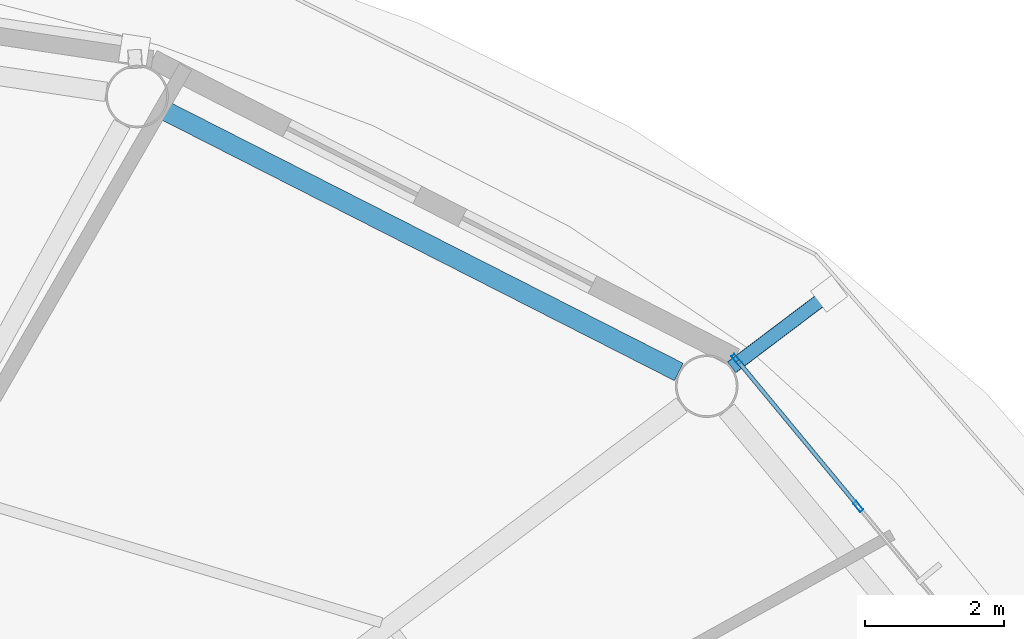
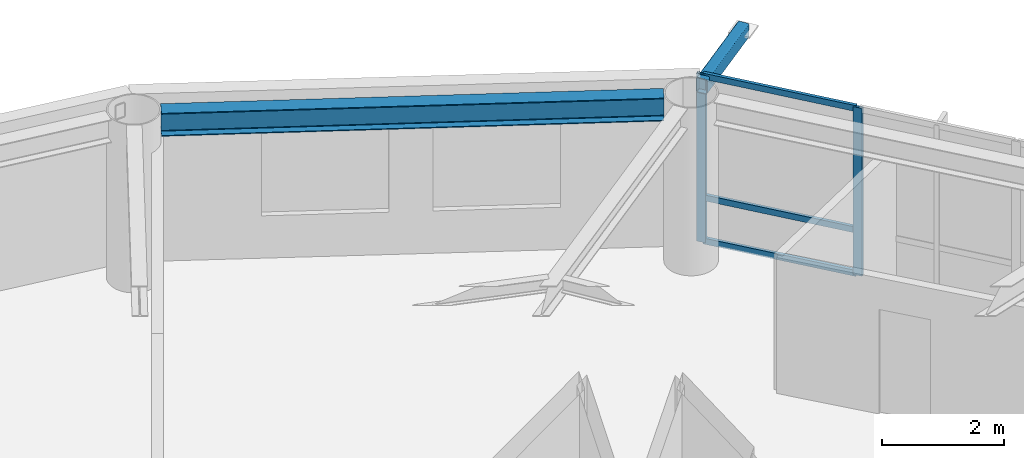
# One storey, part 11 of 22: 6 members, 1 beam, 1 element without a shape of its own.
"""IFC4 building model written with IfcOpenShell, lengths in metres."""

from ifc_helpers import new_model, si_unit, direction, frame, origin, origin_2d, place, context, subcontext, project, spatial, hollow_rectangle, i_section, extrude, material, layer, layer_set, material_profile, profile_set, type_object, element, aggregate, save


model = new_model("IFC4")

# Units and contexts
model_context = context("Model", 3, precision=1e-05, world=origin(), true_north=direction((0.0, 1.0)))
body_context = subcontext(model_context, "Body", "Model", "MODEL_VIEW")
ifc_project = project(units=[si_unit("LENGTHUNIT", "METRE"), si_unit("AREAUNIT", "SQUARE_METRE"), si_unit("VOLUMEUNIT", "CUBIC_METRE"), si_unit("PLANEANGLEUNIT", "RADIAN"), si_unit("MASSUNIT", "GRAM", prefix="KILO")], contexts=[model_context])

# Site, building, storey
site_placement = place(None, origin())
site = spatial("IfcSite", under=ifc_project, at=site_placement, CompositionType="ELEMENT")
building_placement = place(site_placement, origin())
building = spatial("IfcBuilding", under=site, at=building_placement, Name="Sarneth Arch Tower", CompositionType="ELEMENT")
storey_placement = place(building_placement, frame((0.0, 0.0, 298.199951171875)))
storey = spatial("IfcBuildingStorey", under=building, at=storey_placement, Name="L77", CompositionType="ELEMENT", Elevation=298.199951171875)

# Beam
ifc_material_1 = material(Name="Steel S355", Category="steel")
ifc_material_profile_1 = material_profile(ifc_material_1, i_section(OverallWidth=0.280029296875, OverallDepth=0.462890625, WebThickness=0.0107421875, FlangeThickness=0.017333984375, FilletRadius=0.01806640625, at=origin_2d()), Name="W460x113")
ifc_profile_set_1 = profile_set([ifc_material_profile_1], Name="Steel S355")
beam_type = type_object("IfcBeamType", Name="BM-RAD-460A", PredefinedType="BEAM", material=ifc_profile_set_1)
beam_placement = place(storey_placement, frame((65.57421875, 55.780517578125, 3.138427734375), z_axis=(-0.891376248079, 0.453264144138, 0.0), x_axis=(-0.453264144138, -0.891376248079, 0.0)))
element("IfcBeam", 1, at=beam_placement, inside=storey, type_object=beam_type, Name="L77 Perimeter spandrel beam 03", PredefinedType="BEAM", context=body_context, shape_type="SweptSolid", body=[
    extrude(i_section(OverallWidth=0.280029296875, OverallDepth=0.462890625, WebThickness=0.0107421875, FlangeThickness=0.017333984375, FilletRadius=0.01806640625, at=origin_2d()), origin(), (0.0, 0.0, 1.0), 8.281982421875),
])

# Curtain wall, members
ifc_material_2 = material(Name="Anodised aluminium Type AA25 and solar-control low-e laminated IGU", Category="aluminium")
ifc_layer = layer(ifc_material_2, 0.179931640625)
ifc_layer_set = layer_set([ifc_layer], Name="Anodised aluminium Type AA25 and solar-control low-e laminated IGU")
curtain_wall_type = type_object("IfcCurtainWallType", Name="CW-RES-HIGH", PredefinedType="NOTDEFINED", material=ifc_layer_set)
curtain_wall_placement = place(storey_placement, origin())
curtain_wall = element("IfcCurtainWall", 2, at=curtain_wall_placement, inside=storey, type_object=curtain_wall_type, Name="L77 Unitised curtain wall facet 02", PredefinedType="NOTDEFINED")
ifc_material_3 = material(Name="Anodised Aluminium 6063-T6", Category="aluminium")
ifc_material_profile_2 = material_profile(ifc_material_3, hollow_rectangle(XDim=0.06005859375, YDim=0.159912109375, WallThickness=0.00390625, at=origin_2d()), Name="AL-MULL-160x60x4")
ifc_profile_set_2 = profile_set([ifc_material_profile_2], Name="Anodised Aluminium 6063-T6")
member_type_1 = type_object("IfcMemberType", Name="CW-MULLION", PredefinedType="MULLION", material=ifc_profile_set_2)
member_1_placement = place(storey_placement, frame((68.15283203125, 53.84765625, 0.0), z_axis=(0.0, 0.0, 1.0), x_axis=(-0.770359245933, -0.637610094184, 0.0)))
member_1 = element("IfcMember", 3, at=member_1_placement, type_object=member_type_1, Name="CW-SYS-6 mullion 3", PredefinedType="MULLION", context=body_context, shape_type="SweptSolid", body=[
    extrude(hollow_rectangle(XDim=0.06005859375, YDim=0.159912109375, WallThickness=0.00390625, at=origin_2d()), origin(), (0.0, 0.0, 1.0), 3.3701171875),
])
member_2_placement = place(storey_placement, frame((66.401611328125, 55.96337890625, 0.0), z_axis=(0.0, 0.0, 1.0), x_axis=(-0.770359245933, -0.637610094184, 0.0)))
member_2 = element("IfcMember", 4, at=member_2_placement, type_object=member_type_1, Name="CW-SYS-6 mullion 4", PredefinedType="MULLION", context=body_context, shape_type="SweptSolid", body=[
    extrude(hollow_rectangle(XDim=0.06005859375, YDim=0.159912109375, WallThickness=0.00390625, at=origin_2d()), origin(), (0.0, 0.0, 1.0), 3.3701171875),
])
ifc_material_4 = material(Name="Anodised Aluminium 6063-T6", Category="aluminium")
ifc_material_profile_3 = material_profile(ifc_material_4, hollow_rectangle(XDim=0.06005859375, YDim=0.1201171875, WallThickness=0.00390625, at=origin_2d()), Name="AL-TRAN-120x60x4")
ifc_profile_set_3 = profile_set([ifc_material_profile_3], Name="Anodised Aluminium 6063-T6")
member_type_2 = type_object("IfcMemberType", Name="CW-TRANSOM", PredefinedType="USERDEFINED", material=ifc_profile_set_3)
member_3_placement = place(storey_placement, frame((68.1337890625, 53.87060546875, 0.030029296875), z_axis=(-0.637606765719, 0.770362000821, 0.0), x_axis=(-0.770362000821, -0.637606765719, 0.0)))
member_3 = element("IfcMember", 5, at=member_3_placement, type_object=member_type_2, Name="CW-SYS-6 transom 3.1", ObjectType="TRANSOM", PredefinedType="USERDEFINED", context=body_context, shape_type="SweptSolid", body=[
    extrude(hollow_rectangle(XDim=0.06005859375, YDim=0.1201171875, WallThickness=0.00390625, at=origin_2d()), origin(), (0.0, 0.0, 1.0), 2.686767578125),
])
member_4_placement = place(storey_placement, frame((68.1337890625, 53.87060546875, 0.900146484375), z_axis=(-0.637606765719, 0.770362000821, 0.0), x_axis=(-0.770362000821, -0.637606765719, 0.0)))
member_4 = element("IfcMember", 6, at=member_4_placement, type_object=member_type_2, Name="CW-SYS-6 transom 3.2", ObjectType="TRANSOM", PredefinedType="USERDEFINED", context=body_context, shape_type="SweptSolid", body=[
    extrude(hollow_rectangle(XDim=0.06005859375, YDim=0.1201171875, WallThickness=0.00390625, at=origin_2d()), origin(), (0.0, 0.0, 1.0), 2.686767578125),
])
member_5_placement = place(storey_placement, frame((68.1337890625, 53.87060546875, 3.340087890625), z_axis=(-0.637606765719, 0.770362000821, 0.0), x_axis=(-0.770362000821, -0.637606765719, 0.0)))
member_5 = element("IfcMember", 7, at=member_5_placement, type_object=member_type_2, Name="CW-SYS-6 transom 3.3", ObjectType="TRANSOM", PredefinedType="USERDEFINED", context=body_context, shape_type="SweptSolid", body=[
    extrude(hollow_rectangle(XDim=0.06005859375, YDim=0.1201171875, WallThickness=0.00390625, at=origin_2d()), origin(), (0.0, 0.0, 1.0), 2.686767578125),
])
aggregate(curtain_wall, [member_1, member_2, member_3, member_4, member_5])

# Member
ifc_material_5 = material(Name="Steel S355", Category="steel")
ifc_material_profile_4 = material_profile(ifc_material_5, hollow_rectangle(XDim=0.199951171875, YDim=0.300048828125, WallThickness=0.012451171875, InnerFilletRadius=0.018798828125, OuterFilletRadius=0.03125, at=origin_2d()), Name="RHS300x200x12.5")
ifc_profile_set_4 = profile_set([ifc_material_profile_4], Name="Steel S355")
member_type_3 = type_object("IfcMemberType", Name="MEM-CANT-STRUT", PredefinedType="STRUT", material=ifc_profile_set_4)
member_6_placement = place(storey_placement, frame((66.334228515625, 55.84765625, 3.2099609375), z_axis=(0.79800859252, 0.60264607048, 0.0), x_axis=(-0.60264607048, 0.79800859252, 0.0)))
element("IfcMember", 8, at=member_6_placement, inside=storey, type_object=member_type_3, Name="L77 Balcony cantilever bracket 03", PredefinedType="STRUT", context=body_context, shape_type="SweptSolid", body=[
    extrude(hollow_rectangle(XDim=0.199951171875, YDim=0.300048828125, WallThickness=0.012451171875, InnerFilletRadius=0.018798828125, OuterFilletRadius=0.03125, at=origin_2d()), origin(), (0.0, 0.0, 1.0), 1.754638671875),
])

save(model, "model.ifc")
